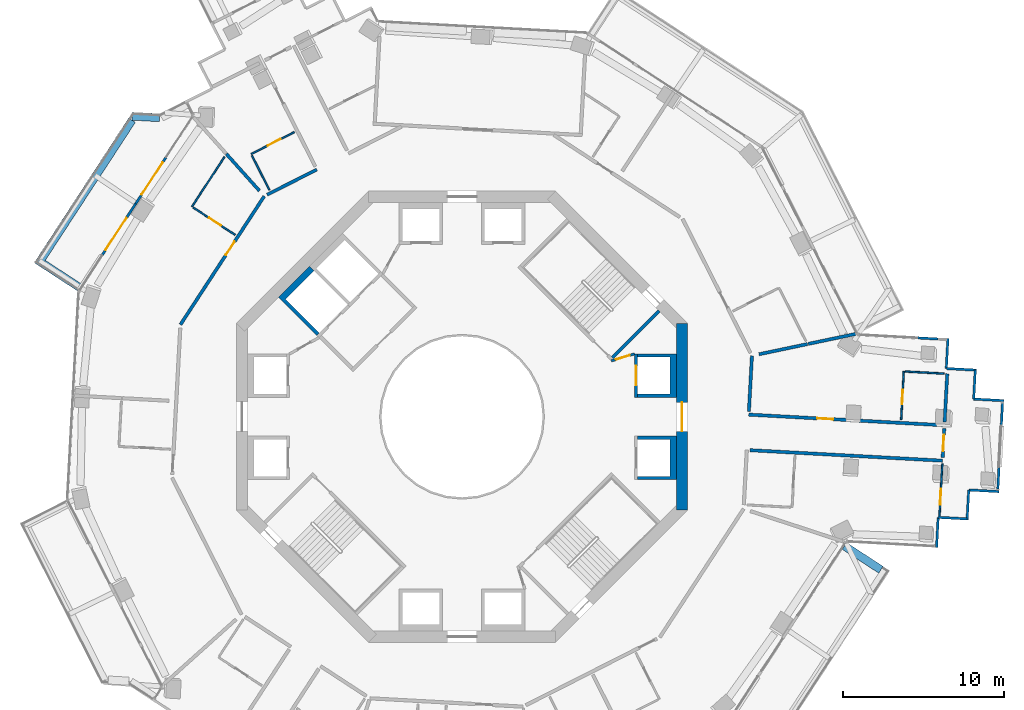
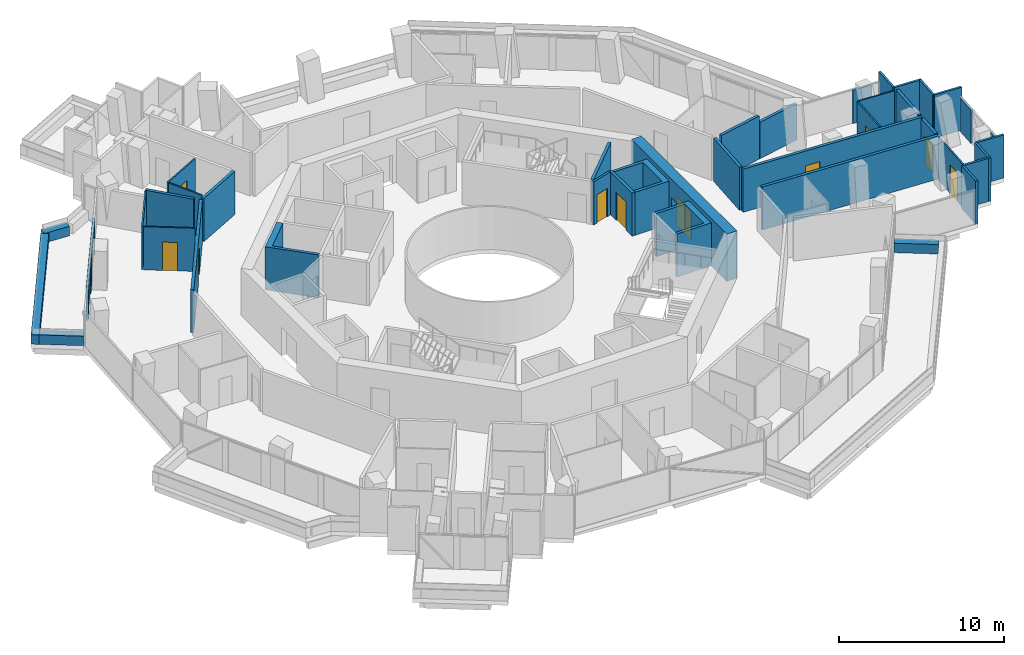
# One storey, part 18 of 23: 41 walls, 12 doors, 12 openings.
"""IFC4 building model written with IfcOpenShell, lengths in metres."""

from ifc_helpers import new_model, si_unit, direction, frame, frame_2d, origin, place, context, subcontext, project, spatial, polyline, rectangle, outline, extrude, material, layer, layer_set, type_object, element, fill, save


model = new_model("IFC4")

# Units and contexts
model_context = context("Model", 3, precision=1e-05, world=origin(), true_north=direction((0.0, 1.0)))
body_context = subcontext(model_context, "Body", "Model", "MODEL_VIEW")
ifc_project = project(units=[si_unit("LENGTHUNIT", "METRE"), si_unit("AREAUNIT", "SQUARE_METRE"), si_unit("VOLUMEUNIT", "CUBIC_METRE"), si_unit("PLANEANGLEUNIT", "RADIAN"), si_unit("MASSUNIT", "GRAM", prefix="KILO")], contexts=[model_context])

# Site, building, storey
site_placement = place(None, origin())
site = spatial("IfcSite", under=ifc_project, at=site_placement, CompositionType="ELEMENT")
building_placement = place(site_placement, origin())
building = spatial("IfcBuilding", under=site, at=building_placement, Name="Verdalira Terraces Hotel", CompositionType="ELEMENT")
storey_placement = place(building_placement, frame((0.0, 0.0, 143.5)))
storey = spatial("IfcBuildingStorey", under=building, at=storey_placement, Name="L34", CompositionType="ELEMENT", Elevation=143.5)

# Walls
ifc_material_1 = material(Name="Concrete C40", Category="concrete")
ifc_layer_1 = layer(ifc_material_1, 0.5)
ifc_layer_set_1 = layer_set([ifc_layer_1], Name="Balcony planter trough with tree")
wall_type_1 = type_object("IfcWallType", Name="Balcony planter trough with tree", PredefinedType="SOLIDWALL", material=ifc_layer_set_1)
wall_1_placement = place(storey_placement, frame((-18.776123, 18.557861, 0.0), z_axis=(0.0, 0.0, 1.0), x_axis=(-0.998516989, 0.054440996, 0.0)))
element("IfcWall", 1, at=wall_1_placement, inside=storey, type_object=wall_type_1, Name="Balcony planter", PredefinedType="SOLIDWALL", context=body_context, shape_type="SweptSolid", body=[
    extrude(rectangle(XDim=1.695068, YDim=0.5, at=frame_2d((0.847656, 0.0))), origin(), (0.0, 0.0, 1.0), 0.699951),
])
wall_2_placement = place(storey_placement, frame((-20.482178, 18.400391, 0.0), z_axis=(0.0, 0.0, 1.0), x_axis=(-0.546405332, -0.837520873, 0.0)))
element("IfcWall", 2, at=wall_2_placement, inside=storey, type_object=wall_type_1, Name="Balcony planter", PredefinedType="SOLIDWALL", context=body_context, shape_type="SweptSolid", body=[
    extrude(rectangle(XDim=10.719482, YDim=0.5, at=frame_2d((5.359863, 0.0))), origin(), (0.0, 0.0, 1.0), 0.699951),
])
for number, where, z_axis, x_axis, name in (
    (3, (-25.993408, 9.495361, 0.0), (0.0, 0.0, 1.0), (0.837506212, -0.546427803, 0.0), "Balcony planter"),
    (4, (25.993408, -9.495361, 0.0), (0.0, 0.0, 1.0), (-0.837506212, 0.546427803, 0.0), "Balcony planter"),
):
    element("IfcWall", number, at=place(storey_placement, frame(where, z_axis=z_axis, x_axis=x_axis)), inside=storey, type_object=wall_type_1, Name=name, PredefinedType="SOLIDWALL", context=body_context, shape_type="SweptSolid", body=[
        extrude(rectangle(XDim=2.698975, YDim=0.5, at=frame_2d((1.349609, 0.0))), origin(), (0.0, 0.0, 1.0), 0.699951),
    ])
ifc_material_2 = material(Name="Moisture-resistant gypsum board partition")
ifc_layer_2 = layer(ifc_material_2, 0.10009765625)
ifc_layer_set_2 = layer_set([ifc_layer_2], Name="Bathroom partition 100 mm")
wall_type_2 = type_object("IfcWallType", Name="Bathroom partition 100 mm", PredefinedType="PARTITIONING", material=ifc_layer_set_2)
wall_3_placement = place(storey_placement, frame((-16.76001, 13.033447, 0.0), z_axis=(0.0, 0.0, 1.0), x_axis=(0.546428622, 0.837505678, 0.0)))
element("IfcWall", 5, at=wall_3_placement, inside=storey, type_object=wall_type_2, Name="Bathroom partition", PredefinedType="PARTITIONING", context=body_context, shape_type="SweptSolid", body=[
    extrude(rectangle(XDim=3.703857, YDim=0.100098, at=frame_2d((1.852051, 0.0))), origin(), (0.0, 0.0, 1.0), 3.189941),
])

# Wall, opening, door
wall_4_placement = place(storey_placement, frame((-16.67627, 12.97876, 0.0), z_axis=(0.0, 0.0, 1.0), x_axis=(0.83753382, -0.546385486, 0.0)))
wall_4 = element("IfcWall", 6, at=wall_4_placement, inside=storey, type_object=wall_type_2, Name="Bathroom partition", PredefinedType="PARTITIONING", context=body_context, shape_type="SweptSolid", body=[
    extrude(rectangle(XDim=3.100098, YDim=0.100098, at=frame_2d((1.550049, 0.0))), origin(), (0.0, 0.0, 1.0), 3.189941),
])
opening_1_placement = place(wall_4_placement, frame((1.149902, 0.0, 0.0)))
opening_1 = element("IfcOpeningElement", 7, at=opening_1_placement, cuts=wall_4, Name="Opening L34-107", PredefinedType="OPENING", context=body_context, shape_type="SweptSolid", body=[
    extrude(rectangle(XDim=0.899902, YDim=2.100098, at=frame_2d((0.449951, 1.050049))), frame((0.0, 0.060059, 0.0), z_axis=(0.0, -1.0, 0.0), x_axis=(1.0, 0.0, 0.0)), (0.0, 0.0, 1.0), 0.120117),
])
ifc_material_3 = material(Name="Timber door", Category="wood")
door_type_1 = type_object("IfcDoorType", Name="Bathroom door 900 x 2100", OperationType="NOTDEFINED", PredefinedType="DOOR", material=ifc_material_3)
door_1_placement = place(opening_1_placement, origin())
door_1 = element("IfcDoor", 8, at=door_1_placement, inside=storey, type_object=door_type_1, Name="Bathroom door 3403", OperationType="SINGLE_SWING_LEFT", OverallHeight=2.10009765625, OverallWidth=0.89990234375, PredefinedType="DOOR", context=body_context, shape_type="SweptSolid", body=[
    extrude(rectangle(XDim=0.899902, YDim=2.100098, at=frame_2d((0.449951, 1.050049))), frame((0.0, 0.024902, 0.0), z_axis=(0.0, -1.0, 0.0), x_axis=(1.0, 0.0, 0.0)), (0.0, 0.0, 1.0), 0.050049),
])
fill(opening_1, door_1)

# Wall
wall_5_placement = place(storey_placement, frame((-11.954834, 14.073975, 0.0), z_axis=(0.0, 0.0, 1.0), x_axis=(-0.452089991, 0.891972331, 0.0)))
element("IfcWall", 9, at=wall_5_placement, inside=storey, type_object=wall_type_2, Name="Bathroom partition", PredefinedType="PARTITIONING", context=body_context, shape_type="SweptSolid", body=[
    extrude(rectangle(XDim=2.399902, YDim=0.100098, at=frame_2d((1.199951, 0.0))), origin(), (0.0, 0.0, 1.0), 3.189941),
])

# Wall, opening, door
wall_6_placement = place(storey_placement, frame((-10.40918, 17.660156, 0.0), z_axis=(0.0, 0.0, 1.0), x_axis=(-0.891956148, -0.452121919, 0.0)))
wall_6 = element("IfcWall", 10, at=wall_6_placement, inside=storey, type_object=wall_type_2, Name="Bathroom partition", PredefinedType="PARTITIONING", context=body_context, shape_type="SweptSolid", body=[
    extrude(rectangle(XDim=3.000244, YDim=0.100098, at=frame_2d((1.5, 0.0))), origin(), (0.0, 0.0, 1.0), 3.189941),
])
opening_2_placement = place(wall_6_placement, frame((0.949951, 0.0, 0.0)))
opening_2 = element("IfcOpeningElement", 11, at=opening_2_placement, cuts=wall_6, Name="Opening L34-105", PredefinedType="OPENING", context=body_context, shape_type="SweptSolid", body=[
    extrude(rectangle(XDim=0.899902, YDim=2.100098, at=frame_2d((0.449951, 1.050049))), frame((0.0, 0.060059, 0.0), z_axis=(0.0, -1.0, 0.0), x_axis=(1.0, 0.0, 0.0)), (0.0, 0.0, 1.0), 0.120117),
])
door_2_placement = place(opening_2_placement, origin())
door_2 = element("IfcDoor", 12, at=door_2_placement, inside=storey, type_object=door_type_1, Name="Bathroom door 3402", OperationType="SINGLE_SWING_RIGHT", OverallHeight=2.10009765625, OverallWidth=0.89990234375, PredefinedType="DOOR", context=body_context, shape_type="SweptSolid", body=[
    extrude(rectangle(XDim=0.899902, YDim=2.100098, at=frame_2d((0.449951, 1.050049))), frame((0.0, 0.024902, 0.0), z_axis=(0.0, -1.0, 0.0), x_axis=(1.0, 0.0, 0.0)), (0.0, 0.0, 1.0), 0.050049),
])
fill(opening_2, door_2)

wall_7_placement = place(storey_placement, frame((27.414307, 2.812012, 0.0), z_axis=(0.0, 0.0, 1.0), x_axis=(-0.054361227, -0.998521335, 0.0)))
wall_7 = element("IfcWall", 13, at=wall_7_placement, inside=storey, type_object=wall_type_2, Name="Bathroom partition", PredefinedType="PARTITIONING", context=body_context, shape_type="SweptSolid", body=[
    extrude(rectangle(XDim=3.0, YDim=0.100098, at=frame_2d((1.5, 0.0))), origin(), (0.0, 0.0, 1.0), 3.189941),
])
opening_3_placement = place(wall_7_placement, frame((1.149902, 0.0, 0.0)))
opening_3 = element("IfcOpeningElement", 14, at=opening_3_placement, cuts=wall_7, Name="Opening L34-126", PredefinedType="OPENING", context=body_context, shape_type="SweptSolid", body=[
    extrude(rectangle(XDim=0.899902, YDim=2.100098, at=frame_2d((0.449951, 1.050049))), frame((0.0, 0.060059, 0.0), z_axis=(0.0, -1.0, 0.0), x_axis=(1.0, 0.0, 0.0)), (0.0, 0.0, 1.0), 0.120117),
])
door_3_placement = place(opening_3_placement, origin())
door_3 = element("IfcDoor", 15, at=door_3_placement, inside=storey, type_object=door_type_1, Name="Bathroom door 3409", OperationType="SINGLE_SWING_LEFT", OverallHeight=2.10009765625, OverallWidth=0.89990234375, PredefinedType="DOOR", context=body_context, shape_type="SweptSolid", body=[
    extrude(rectangle(XDim=0.899902, YDim=2.100098, at=frame_2d((0.449951, 1.050049))), frame((0.0, 0.024902, 0.0), z_axis=(0.0, -1.0, 0.0), x_axis=(1.0, 0.0, 0.0)), (0.0, 0.0, 1.0), 0.050049),
])
fill(opening_3, door_3)

# Wall
wall_8_placement = place(storey_placement, frame((27.514404, 2.806641, 0.0), z_axis=(0.0, 0.0, 1.0), x_axis=(0.998517719, -0.054427609, 0.0)))
element("IfcWall", 16, at=wall_8_placement, inside=storey, type_object=wall_type_2, Name="Bathroom partition", PredefinedType="PARTITIONING", context=body_context, shape_type="SweptSolid", body=[
    extrude(rectangle(XDim=2.399902, YDim=0.100098, at=frame_2d((1.199951, 0.0))), origin(), (0.0, 0.0, 1.0), 3.189941),
])

# Wall, opening, door
wall_9_placement = place(storey_placement, frame((29.628662, -6.173828, 0.0), z_axis=(0.0, 0.0, 1.0), x_axis=(0.054426389, 0.998517786, 0.0)))
wall_9 = element("IfcWall", 17, at=wall_9_placement, inside=storey, type_object=wall_type_2, Name="Bathroom partition", PredefinedType="PARTITIONING", context=body_context, shape_type="SweptSolid", body=[
    extrude(rectangle(XDim=3.252197, YDim=0.100098, at=frame_2d((1.625977, 0.0))), origin(), (0.0, 0.0, 1.0), 3.189941),
])
opening_4_placement = place(wall_9_placement, frame((0.699951, 0.0, 0.0)))
opening_4 = element("IfcOpeningElement", 18, at=opening_4_placement, cuts=wall_9, Name="Opening L34-123", PredefinedType="OPENING", context=body_context, shape_type="SweptSolid", body=[
    extrude(rectangle(XDim=1.0, YDim=2.100098, at=frame_2d((0.5, 1.050049))), frame((0.0, 0.060059, 0.0), z_axis=(0.0, -1.0, 0.0), x_axis=(1.0, 0.0, 0.0)), (0.0, 0.0, 1.0), 0.120117),
])
ifc_material_4 = material(Name="Timber door", Category="wood")
door_type_2 = type_object("IfcDoorType", Name="Suite internal door 1000 x 2100", OperationType="NOTDEFINED", PredefinedType="DOOR", material=ifc_material_4)
door_4_placement = place(opening_4_placement, origin())
door_4 = element("IfcDoor", 19, at=door_4_placement, inside=storey, type_object=door_type_2, Name="Suite internal door 3408", OperationType="SINGLE_SWING_LEFT", OverallHeight=2.10009765625, OverallWidth=1.0, PredefinedType="DOOR", context=body_context, shape_type="SweptSolid", body=[
    extrude(rectangle(XDim=1.0, YDim=2.100098, at=frame_2d((0.5, 1.050049))), frame((0.0, 0.024902, 0.0), z_axis=(0.0, -1.0, 0.0), x_axis=(1.0, 0.0, 0.0)), (0.0, 0.0, 1.0), 0.050049),
])
fill(opening_4, door_4)

# Walls
ifc_material_5 = material(Name="Concrete C50", Category="concrete")
ifc_layer_3 = layer(ifc_material_5, 0.199951171875)
ifc_layer_set_3 = layer_set([ifc_layer_3], Name="Core RC wall 200 C50")
wall_type_3 = type_object("IfcWallType", Name="Core RC wall 200 C50", PredefinedType="SOLIDWALL", material=ifc_layer_set_3)
wall_10_placement = place(storey_placement, origin())
element("IfcWall", 20, at=wall_10_placement, inside=storey, type_object=wall_type_3, Name="L34 shaft wall E1", PredefinedType="SOLIDWALL", context=body_context, shape_type="SweptSolid", body=[
    extrude(outline(polyline([(13.300049, -3.899902), (10.899902, -3.899902), (10.899902, -3.699951), (12.899902, -3.699951), (12.899902, -1.399902), (10.899902, -1.399902), (10.899902, -1.199951), (13.300049, -1.199951), (13.300049, -3.899902)])), origin(), (0.0, 0.0, 1.0), 3.189941),
])
wall_11_placement = place(storey_placement, origin())
element("IfcWall", 21, at=wall_11_placement, inside=storey, type_object=wall_type_3, Name="L34 shaft wall E2", PredefinedType="SOLIDWALL", context=body_context, shape_type="SweptSolid", body=[
    extrude(outline(polyline([(13.300049, 3.899902), (13.300049, 1.199951), (10.899902, 1.199951), (10.899902, 1.399902), (12.899902, 1.399902), (12.899902, 3.699951), (10.899902, 3.699951), (10.899902, 3.899902), (13.300049, 3.899902)])), origin(), (0.0, 0.0, 1.0), 3.189941),
])

# Wall, opening, door
wall_12_placement = place(storey_placement, frame((10.800049, 1.199951, 0.0), z_axis=(0.0, 0.0, 1.0), x_axis=(0.0, 1.0, 0.0)))
wall_12 = element("IfcWall", 22, at=wall_12_placement, inside=storey, type_object=wall_type_3, Name="L34 shaft front wall E2", PredefinedType="SOLIDWALL", context=body_context, shape_type="SweptSolid", body=[
    extrude(rectangle(XDim=2.699951, YDim=0.199951, at=frame_2d((1.350098, 0.0))), origin(), (0.0, 0.0, 1.0), 3.189941),
])
opening_5_placement = place(wall_12_placement, frame((0.75, 0.0, 0.0)))
opening_5 = element("IfcOpeningElement", 23, at=opening_5_placement, cuts=wall_12, Name="Opening LD-L34-802", PredefinedType="OPENING", context=body_context, shape_type="SweptSolid", body=[
    extrude(rectangle(XDim=1.199951, YDim=2.100098, at=frame_2d((0.600098, 1.050049))), frame((0.0, 0.109863, 0.0), z_axis=(0.0, -1.0, 0.0), x_axis=(1.0, 0.0, 0.0)), (0.0, 0.0, 1.0), 0.219971),
])
ifc_material_6 = material(Name="Stainless steel", Category="steel")
door_type_3 = type_object("IfcDoorType", Name="Landing door 1200 x 2100", OperationType="NOTDEFINED", PredefinedType="DOOR", material=ifc_material_6)
door_5_placement = place(opening_5_placement, origin())
door_5 = element("IfcDoor", 24, at=door_5_placement, inside=storey, type_object=door_type_3, Name="Lift landing door LR2 L34", OperationType="DOUBLE_DOOR_SLIDING", OverallHeight=2.10009765625, OverallWidth=1.199951171875, PredefinedType="DOOR", context=body_context, shape_type="SweptSolid", body=[
    extrude(rectangle(XDim=1.199951, YDim=2.100098, at=frame_2d((0.600098, 1.050049))), frame((0.0, 0.024902, 0.0), z_axis=(0.0, -1.0, 0.0), x_axis=(1.0, 0.0, 0.0)), (0.0, 0.0, 1.0), 0.050049),
])
fill(opening_5, door_5)

# Walls
wall_13_placement = place(storey_placement, origin())
element("IfcWall", 25, at=wall_13_placement, inside=storey, type_object=wall_type_3, Name="L34 shaft wall F2", PredefinedType="SOLIDWALL", context=body_context, shape_type="SweptSolid", body=[
    extrude(outline(polyline([(-11.384521, 7.424561), (-9.475098, 9.33374), (-9.192383, 9.051025), (-10.960205, 7.283203), (-8.874268, 5.197266), (-9.015625, 5.055908), (-11.384521, 7.424561)])), origin(), (0.0, 0.0, 1.0), 3.189941),
])
wall_14_placement = place(storey_placement, frame((9.33374, 3.677002, 0.0), z_axis=(0.0, 0.0, 1.0), x_axis=(0.707106781, 0.707106781, 0.0)))
element("IfcWall", 26, at=wall_14_placement, inside=storey, type_object=wall_type_3, Name="L34 stair ST1 end wall 1", PredefinedType="SOLIDWALL", context=body_context, shape_type="SweptSolid", body=[
    extrude(rectangle(XDim=4.100098, YDim=0.199951, at=frame_2d((2.050049, 0.0))), origin(), (0.0, 0.0, 1.0), 3.189941),
])

# Wall, opening, door
ifc_material_7 = material(Name="Gypsum board partition")
ifc_layer_4 = layer(ifc_material_7, 0.14990234375)
ifc_layer_set_4 = layer_set([ifc_layer_4], Name="Core partition 150 mm")
wall_type_4 = type_object("IfcWallType", Name="Core partition 150 mm", PredefinedType="PARTITIONING", material=ifc_layer_set_4)
wall_15_placement = place(storey_placement, frame((10.699951, 3.899902, 0.0), z_axis=(0.0, 0.0, 1.0), x_axis=(-0.957084567, -0.289808785, 0.0)))
wall_15 = element("IfcWall", 27, at=wall_15_placement, inside=storey, type_object=wall_type_4, Name="Room partition L34", PredefinedType="PARTITIONING", context=body_context, shape_type="SweptSolid", body=[
    extrude(rectangle(XDim=1.501221, YDim=0.149902, at=frame_2d((0.750488, 0.0))), origin(), (0.0, 0.0, 1.0), 3.189941),
])
opening_6_placement = place(wall_15_placement, frame((0.300781, 0.0, 0.0)))
opening_6 = element("IfcOpeningElement", 28, at=opening_6_placement, cuts=wall_15, Name="Opening L34-820", PredefinedType="OPENING", context=body_context, shape_type="SweptSolid", body=[
    extrude(rectangle(XDim=0.899902, YDim=2.100098, at=frame_2d((0.449951, 1.050049))), frame((0.0, 0.084961, 0.0), z_axis=(0.0, -1.0, 0.0), x_axis=(1.0, 0.0, 0.0)), (0.0, 0.0, 1.0), 0.169922),
])
ifc_material_8 = material(Name="Steel fire door", Category="steel")
door_type_4 = type_object("IfcDoorType", Name="Core room door 900 x 2100", OperationType="NOTDEFINED", PredefinedType="DOOR", material=ifc_material_8)
door_6_placement = place(opening_6_placement, origin())
door_6 = element("IfcDoor", 29, at=door_6_placement, inside=storey, type_object=door_type_4, Name="Door L34 room0", OperationType="SINGLE_SWING_LEFT", OverallHeight=2.10009765625, OverallWidth=0.89990234375, PredefinedType="DOOR", context=body_context, shape_type="SweptSolid", body=[
    extrude(rectangle(XDim=0.899902, YDim=2.100098, at=frame_2d((0.449951, 1.050049))), frame((0.0, 0.024902, 0.0), z_axis=(0.0, -1.0, 0.0), x_axis=(1.0, 0.0, 0.0)), (0.0, 0.0, 1.0), 0.050049),
])
fill(opening_6, door_6)

ifc_material_9 = material(Name="Concrete C60", Category="concrete")
ifc_layer_5 = layer(ifc_material_9, 0.699951171875)
ifc_layer_set_5 = layer_set([ifc_layer_5], Name="Core wall 700 C60")
wall_type_5 = type_object("IfcWallType", Name="Core wall 700 C60", PredefinedType="SHEAR", material=ifc_layer_set_5)
wall_16_placement = place(storey_placement, frame((13.649902, -5.799072, 0.0), z_axis=(0.0, 0.0, 1.0), x_axis=(0.0, 1.0, 0.0)))
wall_16 = element("IfcWall", 30, at=wall_16_placement, inside=storey, type_object=wall_type_5, Name="Core wall CW-L34-1", PredefinedType="SHEAR", context=body_context, shape_type="SweptSolid", body=[
    extrude(rectangle(XDim=11.598145, YDim=0.699951, at=frame_2d((5.799072, 0.0))), origin(), (0.0, 0.0, 1.0), 3.5),
])
opening_7_placement = place(wall_16_placement, frame((4.898926, 0.0, 0.0)))
opening_7 = element("IfcOpeningElement", 31, at=opening_7_placement, cuts=wall_16, Name="Opening L34-812", PredefinedType="OPENING", context=body_context, shape_type="SweptSolid", body=[
    extrude(rectangle(XDim=1.800049, YDim=2.100098, at=frame_2d((0.899902, 1.050049))), frame((0.0, 0.359863, 0.0), z_axis=(0.0, -1.0, 0.0), x_axis=(1.0, 0.0, 0.0)), (0.0, 0.0, 1.0), 0.719971),
])
ifc_material_10 = material(Name="Steel fire door", Category="steel")
door_type_5 = type_object("IfcDoorType", Name="Core entry door pair 1800 x 2100", OperationType="NOTDEFINED", PredefinedType="DOOR", material=ifc_material_10)
door_7_placement = place(opening_7_placement, origin())
door_7 = element("IfcDoor", 32, at=door_7_placement, inside=storey, type_object=door_type_5, Name="Core entry door L34 0", OperationType="DOUBLE_DOOR_SINGLE_SWING", OverallHeight=2.10009765625, OverallWidth=1.800048828125, PredefinedType="DOOR", context=body_context, shape_type="SweptSolid", body=[
    extrude(rectangle(XDim=1.800049, YDim=2.100098, at=frame_2d((0.899902, 1.050049))), frame((0.0, 0.024902, 0.0), z_axis=(0.0, -1.0, 0.0), x_axis=(1.0, 0.0, 0.0)), (0.0, 0.0, 1.0), 0.050049),
])
fill(opening_7, door_7)

# Walls
ifc_material_11 = material(Name="Fire-rated gypsum board wall")
ifc_layer_6 = layer(ifc_material_11, 0.199951171875)
ifc_layer_set_6 = layer_set([ifc_layer_6], Name="Demising wall 200 mm")
wall_type_6 = type_object("IfcWallType", Name="Demising wall 200 mm", PredefinedType="SOLIDWALL", material=ifc_layer_set_6)
for number, where, z_axis, x_axis, name in (
    (33, (-12.571777, 14.02124, 0.0), (0.0, 0.0, 1.0), (-0.667546534, 0.74456808, 0.0), "Demising wall"),
    (34, (18.428711, 3.876709, 0.0), (0.0, 0.0, 1.0), (0.97857421, 0.205894428, 0.0), "Demising wall"),
):
    element("IfcWall", number, at=place(storey_placement, frame(where, z_axis=z_axis, x_axis=x_axis)), inside=storey, type_object=wall_type_6, Name=name, PredefinedType="SOLIDWALL", context=body_context, shape_type="SweptSolid", body=[
        extrude(rectangle(XDim=3.074707, YDim=0.199951, at=frame_2d((1.537354, 0.0))), origin(), (0.0, 0.0, 1.0), 3.189941),
    ])
wall_17_placement = place(storey_placement, frame((29.947021, -0.33252, 0.0), z_axis=(0.0, 0.0, 1.0), x_axis=(0.054452707, 0.998516351, 0.0)))
element("IfcWall", 35, at=wall_17_placement, inside=storey, type_object=wall_type_6, Name="Demising wall", PredefinedType="SOLIDWALL", context=body_context, shape_type="SweptSolid", body=[
    extrude(rectangle(XDim=3.003906, YDim=0.199951, at=frame_2d((1.501953, 0.0))), origin(), (0.0, 0.0, 1.0), 3.189941),
])
ifc_material_12 = material(Name="Fire-rated gypsum board wall")
ifc_layer_7 = layer(ifc_material_12, 0.199951171875)
ifc_layer_set_7 = layer_set([ifc_layer_7], Name="Demising wall 200 mm to beam soffit")
wall_type_7 = type_object("IfcWallType", Name="Demising wall 200 mm to beam soffit", PredefinedType="SOLIDWALL", material=ifc_layer_set_7)
wall_18_placement = place(storey_placement, frame((21.482422, 4.519287, 0.0), z_axis=(0.0, 0.0, 1.0), x_axis=(0.978586756, 0.205834792, 0.0)))
element("IfcWall", 36, at=wall_18_placement, inside=storey, type_object=wall_type_7, Name="Demising wall", PredefinedType="SOLIDWALL", context=body_context, shape_type="SweptSolid", body=[
    extrude(rectangle(XDim=3.011475, YDim=0.199951, at=frame_2d((1.505859, 0.0))), origin(), (0.0, 0.0, 1.0), 2.689941),
])

# Wall, opening, door
ifc_material_13 = material(Name="Fire-rated gypsum board wall")
ifc_layer_8 = layer(ifc_material_13, 0.199951171875)
ifc_layer_set_8 = layer_set([ifc_layer_8], Name="Guest corridor wall 200 mm")
wall_type_8 = type_object("IfcWallType", Name="Guest corridor wall 200 mm", PredefinedType="SOLIDWALL", material=ifc_layer_set_8)
wall_19_placement = place(storey_placement, frame((-17.472656, 5.718262, 0.0), z_axis=(0.0, 0.0, 1.0), x_axis=(0.546389861, 0.837530967, 0.0)))
wall_19 = element("IfcWall", 37, at=wall_19_placement, inside=storey, type_object=wall_type_8, Name="Guest corridor wall", PredefinedType="SOLIDWALL", context=body_context, shape_type="SweptSolid", body=[
    extrude(rectangle(XDim=9.516113, YDim=0.199951, at=frame_2d((4.758057, 0.0))), origin(), (0.0, 0.0, 1.0), 3.189941),
])
opening_8_placement = place(wall_19_placement, frame((5.149902, 0.0, 0.0)))
opening_8 = element("IfcOpeningElement", 38, at=opening_8_placement, cuts=wall_19, Name="Opening L34-106", PredefinedType="OPENING", context=body_context, shape_type="SweptSolid", body=[
    extrude(rectangle(XDim=1.0, YDim=2.100098, at=frame_2d((0.5, 1.050049))), frame((0.0, 0.109863, 0.0), z_axis=(0.0, -1.0, 0.0), x_axis=(1.0, 0.0, 0.0)), (0.0, 0.0, 1.0), 0.219971),
])
ifc_material_14 = material(Name="Timber fire door", Category="wood")
door_type_6 = type_object("IfcDoorType", Name="Guest entry door 1000 x 2100", OperationType="NOTDEFINED", PredefinedType="DOOR", material=ifc_material_14)
door_8_placement = place(opening_8_placement, origin())
door_8 = element("IfcDoor", 39, at=door_8_placement, inside=storey, type_object=door_type_6, Name="Guest entry door 3403", OperationType="SINGLE_SWING_LEFT", OverallHeight=2.10009765625, OverallWidth=1.0, PredefinedType="DOOR", context=body_context, shape_type="SweptSolid", body=[
    extrude(rectangle(XDim=1.0, YDim=2.100098, at=frame_2d((0.5, 1.050049))), frame((0.0, 0.024902, 0.0), z_axis=(0.0, -1.0, 0.0), x_axis=(1.0, 0.0, 0.0)), (0.0, 0.0, 1.0), 0.050049),
])
fill(opening_8, door_8)

# Walls
for number, where, z_axis, x_axis, name in (
    (40, (-9.01001, 15.342285, 0.0), (0.0, 0.0, 1.0), (-0.891971254, -0.452092118, 0.0), "Guest corridor wall"),
    (41, (17.802734, 0.331543, 0.0), (0.0, 0.0, 1.0), (0.054429939, 0.998517592, 0.0), "Guest corridor wall"),
):
    element("IfcWall", number, at=place(storey_placement, frame(where, z_axis=z_axis, x_axis=x_axis)), inside=storey, type_object=wall_type_8, Name=name, PredefinedType="SOLIDWALL", context=body_context, shape_type="SweptSolid", body=[
        extrude(rectangle(XDim=3.458252, YDim=0.199951, at=frame_2d((1.729004, 0.0))), origin(), (0.0, 0.0, 1.0), 3.189941),
    ])
wall_20_placement = place(storey_placement, frame((17.871826, -2.075684, 0.0), z_axis=(0.0, 0.0, 1.0), x_axis=(0.998517524, -0.054431195, 0.0)))
element("IfcWall", 42, at=wall_20_placement, inside=storey, type_object=wall_type_8, Name="Guest corridor wall", PredefinedType="SOLIDWALL", context=body_context, shape_type="SweptSolid", body=[
    extrude(rectangle(XDim=11.962402, YDim=0.199951, at=frame_2d((5.981201, 0.0))), origin(), (0.0, 0.0, 1.0), 3.189941),
])

# Wall, opening, door
wall_21_placement = place(storey_placement, frame((17.791992, 0.131836, 0.0), z_axis=(0.0, 0.0, 1.0), x_axis=(0.998518168, -0.054419371, 0.0)))
wall_21 = element("IfcWall", 43, at=wall_21_placement, inside=storey, type_object=wall_type_8, Name="Guest corridor wall", PredefinedType="SOLIDWALL", context=body_context, shape_type="SweptSolid", body=[
    extrude(rectangle(XDim=12.162354, YDim=0.199951, at=frame_2d((6.081055, 0.0))), origin(), (0.0, 0.0, 1.0), 3.189941),
])
opening_9_placement = place(wall_21_placement, frame((4.25, 0.0, 0.0)))
opening_9 = element("IfcOpeningElement", 44, at=opening_9_placement, cuts=wall_21, Name="Opening L34-125", PredefinedType="OPENING", context=body_context, shape_type="SweptSolid", body=[
    extrude(rectangle(XDim=1.0, YDim=2.100098, at=frame_2d((0.5, 1.050049))), frame((0.0, 0.109863, 0.0), z_axis=(0.0, -1.0, 0.0), x_axis=(1.0, 0.0, 0.0)), (0.0, 0.0, 1.0), 0.219971),
])
door_9_placement = place(opening_9_placement, origin())
door_9 = element("IfcDoor", 45, at=door_9_placement, inside=storey, type_object=door_type_6, Name="Guest entry door 3409", OperationType="SINGLE_SWING_LEFT", OverallHeight=2.10009765625, OverallWidth=1.0, PredefinedType="DOOR", context=body_context, shape_type="SweptSolid", body=[
    extrude(rectangle(XDim=1.0, YDim=2.100098, at=frame_2d((0.5, 1.050049))), frame((0.0, 0.024902, 0.0), z_axis=(0.0, -1.0, 0.0), x_axis=(1.0, 0.0, 0.0)), (0.0, 0.0, 1.0), 0.050049),
])
fill(opening_9, door_9)

wall_22_placement = place(storey_placement, frame((29.925537, -0.727783, 0.0), z_axis=(0.0, 0.0, 1.0), x_axis=(-0.054398261, -0.998519318, 0.0)))
wall_22 = element("IfcWall", 46, at=wall_22_placement, inside=storey, type_object=wall_type_8, Name="Guest corridor wall", PredefinedType="SOLIDWALL", context=body_context, shape_type="SweptSolid", body=[
    extrude(rectangle(XDim=1.804199, YDim=0.199951, at=frame_2d((0.9021, 0.0))), origin(), (0.0, 0.0, 1.0), 3.189941),
])
opening_10_placement = place(wall_22_placement, frame((0.399902, 0.0, 0.0)))
opening_10 = element("IfcOpeningElement", 47, at=opening_10_placement, cuts=wall_22, Name="Opening L34-122", PredefinedType="OPENING", context=body_context, shape_type="SweptSolid", body=[
    extrude(rectangle(XDim=1.0, YDim=2.100098, at=frame_2d((0.5, 1.050049))), frame((0.0, 0.109863, 0.0), z_axis=(0.0, -1.0, 0.0), x_axis=(1.0, 0.0, 0.0)), (0.0, 0.0, 1.0), 0.219971),
])
door_10_placement = place(opening_10_placement, origin())
door_10 = element("IfcDoor", 48, at=door_10_placement, inside=storey, type_object=door_type_6, Name="Guest entry door 3408", OperationType="SINGLE_SWING_LEFT", OverallHeight=2.10009765625, OverallWidth=1.0, PredefinedType="DOOR", context=body_context, shape_type="SweptSolid", body=[
    extrude(rectangle(XDim=1.0, YDim=2.100098, at=frame_2d((0.5, 1.050049))), frame((0.0, 0.024902, 0.0), z_axis=(0.0, -1.0, 0.0), x_axis=(1.0, 0.0, 0.0)), (0.0, 0.0, 1.0), 0.050049),
])
fill(opening_10, door_10)

# Walls
ifc_material_15 = material(Name="Terracotta cladding", Category="masonry")
ifc_layer_9 = layer(ifc_material_15, 0.14990234375)
ifc_layer_set_9 = layer_set([ifc_layer_9], Name="Terracotta clad wall 150")
wall_type_9 = type_object("IfcWallType", Name="Terracotta clad wall 150", PredefinedType="SOLIDWALL", material=ifc_layer_set_9)
wall_23_placement = place(storey_placement, frame((29.447754, -8.114746, 0.0), z_axis=(0.0, 0.0, 1.0), x_axis=(0.054431445, 0.99851751, 0.0)))
element("IfcWall", 49, at=wall_23_placement, inside=storey, type_object=wall_type_9, Name="Terracotta cladding wall", PredefinedType="SOLIDWALL", context=body_context, shape_type="SweptSolid", body=[
    extrude(rectangle(XDim=1.874756, YDim=0.149902, at=frame_2d((0.9375, 0.0))), origin(), (0.0, 0.0, 1.0), 3.189941),
])
wall_24_placement = place(storey_placement, frame((29.549805, -6.242676, 0.0), z_axis=(0.0, 0.0, 1.0), x_axis=(0.998519862, -0.054388273, 0.0)))
element("IfcWall", 50, at=wall_24_placement, inside=storey, type_object=wall_type_9, Name="Terracotta cladding wall", PredefinedType="SOLIDWALL", context=body_context, shape_type="SweptSolid", body=[
    extrude(rectangle(XDim=1.800049, YDim=0.149902, at=frame_2d((0.899902, 0.0))), origin(), (0.0, 0.0, 1.0), 3.189941),
])
for number, where, z_axis, x_axis, name in (
    (51, (31.343018, -6.415527, 0.0), (0.0, 0.0, 1.0), (0.054424368, 0.998517896, 0.0), "Terracotta cladding wall"),
    (52, (31.445068, -4.543213, 0.0), (0.0, 0.0, 1.0), (0.998517896, -0.054424368, 0.0), "Terracotta cladding wall"),
    (53, (33.624756, 0.996338, 0.0), (0.0, 0.0, 1.0), (-0.998517896, 0.054424368, 0.0), "Terracotta cladding wall"),
):
    element("IfcWall", number, at=place(storey_placement, frame(where, z_axis=z_axis, x_axis=x_axis)), inside=storey, type_object=wall_type_9, Name=name, PredefinedType="SOLIDWALL", context=body_context, shape_type="SweptSolid", body=[
        extrude(rectangle(XDim=1.875, YDim=0.149902, at=frame_2d((0.9375, 0.0))), origin(), (0.0, 0.0, 1.0), 3.189941),
    ])
wall_25_placement = place(storey_placement, frame((31.752441, 1.098389, 0.0), z_axis=(0.0, 0.0, 1.0), x_axis=(0.054523502, 0.998512488, 0.0)))
element("IfcWall", 54, at=wall_25_placement, inside=storey, type_object=wall_type_9, Name="Terracotta cladding wall", PredefinedType="SOLIDWALL", context=body_context, shape_type="SweptSolid", body=[
    extrude(rectangle(XDim=1.800049, YDim=0.149902, at=frame_2d((0.899902, 0.0))), origin(), (0.0, 0.0, 1.0), 3.189941),
])
for number, where, z_axis, x_axis, name in (
    (55, (31.925537, 2.891602, 0.0), (0.0, 0.0, 1.0), (-0.998517896, 0.054424368, 0.0), "Terracotta cladding wall"),
    (56, (30.053223, 2.993652, 0.0), (0.0, 0.0, 1.0), (0.054424368, 0.998517896, 0.0), "Terracotta cladding wall"),
):
    element("IfcWall", number, at=place(storey_placement, frame(where, z_axis=z_axis, x_axis=x_axis)), inside=storey, type_object=wall_type_9, Name=name, PredefinedType="SOLIDWALL", context=body_context, shape_type="SweptSolid", body=[
        extrude(rectangle(XDim=1.875, YDim=0.149902, at=frame_2d((0.9375, 0.0))), origin(), (0.0, 0.0, 1.0), 3.189941),
    ])
ifc_material_16 = material(Name="Terracotta cladding", Category="masonry")
ifc_layer_10 = layer(ifc_material_16, 0.14990234375)
ifc_layer_set_10 = layer_set([ifc_layer_10], Name="Terracotta column pier 150")
wall_type_10 = type_object("IfcWallType", Name="Terracotta column pier 150", PredefinedType="SOLIDWALL", material=ifc_layer_set_10)
wall_26_placement = place(storey_placement, frame((33.250732, -4.486328, 0.0), z_axis=(0.0, 0.0, 1.0), x_axis=(0.054480684, 0.998514825, 0.0)))
element("IfcWall", 57, at=wall_26_placement, inside=storey, type_object=wall_type_10, Name="Terracotta column pier", PredefinedType="SOLIDWALL", context=body_context, shape_type="SweptSolid", body=[
    extrude(rectangle(XDim=1.366699, YDim=0.149902, at=frame_2d((0.68335, 0.0))), origin(), (0.0, 0.0, 1.0), 2.475098),
])
wall_27_placement = place(storey_placement, frame((33.4646, -0.562256, 0.0), z_axis=(0.0, 0.0, 1.0), x_axis=(0.054539822, 0.998511596, 0.0)))
element("IfcWall", 58, at=wall_27_placement, inside=storey, type_object=wall_type_10, Name="Terracotta column pier", PredefinedType="SOLIDWALL", context=body_context, shape_type="SweptSolid", body=[
    extrude(rectangle(XDim=1.410156, YDim=0.149902, at=frame_2d((0.705078, 0.0))), origin(), (0.0, 0.0, 1.0), 2.475098),
])
wall_28_placement = place(storey_placement, frame((29.547119, 4.823975, 0.0), z_axis=(0.0, 0.0, 1.0), x_axis=(-0.99851645, 0.054450878, 0.0)))
element("IfcWall", 59, at=wall_28_placement, inside=storey, type_object=wall_type_10, Name="Terracotta column pier", PredefinedType="SOLIDWALL", context=body_context, shape_type="SweptSolid", body=[
    extrude(rectangle(XDim=1.300293, YDim=0.149902, at=frame_2d((0.650146, 0.0))), origin(), (0.0, 0.0, 1.0), 2.475098),
])

# Wall, opening, door
ifc_material_17 = material(Name="Terracotta cladding", Category="masonry")
ifc_layer_11 = layer(ifc_material_17, 0.14990234375)
ifc_layer_set_11 = layer_set([ifc_layer_11], Name="Terracotta door pier 150")
wall_type_11 = type_object("IfcWallType", Name="Terracotta door pier 150", PredefinedType="SOLIDWALL", material=ifc_layer_set_11)
wall_29_placement = place(storey_placement, frame((-18.355469, 16.124023, 0.0), z_axis=(0.0, 0.0, 1.0), x_axis=(-0.546387789, -0.837532318, 0.0)))
wall_29 = element("IfcWall", 60, at=wall_29_placement, inside=storey, type_object=wall_type_11, Name="Terracotta door pier", PredefinedType="SOLIDWALL", context=body_context, shape_type="SweptSolid", body=[
    extrude(rectangle(XDim=3.474854, YDim=0.149902, at=frame_2d((1.737305, 0.0))), origin(), (0.0, 0.0, 1.0), 2.475098),
])
opening_11_placement = place(wall_29_placement, frame((0.399902, 0.0, 0.0)))
opening_11 = element("IfcOpeningElement", 61, at=opening_11_placement, cuts=wall_29, Name="Opening L34-B02", PredefinedType="OPENING", context=body_context, shape_type="SweptSolid", body=[
    extrude(rectangle(XDim=2.399902, YDim=2.399902, at=frame_2d((1.199951, 1.199951))), frame((0.0, 0.084961, 0.0), z_axis=(0.0, -1.0, 0.0), x_axis=(1.0, 0.0, 0.0)), (0.0, 0.0, 1.0), 0.169922),
])
ifc_material_18 = material(Name="Clear glass", Category="glass")
door_type_7 = type_object("IfcDoorType", Name="Balcony sliding door 2400x2400", OperationType="NOTDEFINED", PredefinedType="DOOR", material=ifc_material_18)
door_11_placement = place(opening_11_placement, origin())
door_11 = element("IfcDoor", 62, at=door_11_placement, inside=storey, type_object=door_type_7, Name="Balcony sliding door", OperationType="SLIDING_TO_RIGHT", OverallHeight=2.39990234375, OverallWidth=2.39990234375, PredefinedType="DOOR", context=body_context, shape_type="SweptSolid", body=[
    extrude(rectangle(XDim=2.399902, YDim=2.399902, at=frame_2d((1.199951, 1.199951))), frame((0.0, 0.024902, 0.0), z_axis=(0.0, -1.0, 0.0), x_axis=(1.0, 0.0, 0.0)), (0.0, 0.0, 1.0), 0.050049),
])
fill(opening_11, door_11)

wall_30_placement = place(storey_placement, frame((-20.25415, 13.213623, 0.0), z_axis=(0.0, 0.0, 1.0), x_axis=(-0.546388156, -0.837532079, 0.0)))
wall_30 = element("IfcWall", 63, at=wall_30_placement, inside=storey, type_object=wall_type_11, Name="Terracotta door pier", PredefinedType="SOLIDWALL", context=body_context, shape_type="SweptSolid", body=[
    extrude(rectangle(XDim=3.835449, YDim=0.149902, at=frame_2d((1.917725, 0.0))), origin(), (0.0, 0.0, 1.0), 2.475098),
])
opening_12_placement = place(wall_30_placement, frame((1.0354, 0.0, 0.0)))
opening_12 = element("IfcOpeningElement", 64, at=opening_12_placement, cuts=wall_30, Name="Opening L34-B03", PredefinedType="OPENING", context=body_context, shape_type="SweptSolid", body=[
    extrude(rectangle(XDim=2.399902, YDim=2.399902, at=frame_2d((1.199951, 1.199951))), frame((0.0, 0.084961, 0.0), z_axis=(0.0, -1.0, 0.0), x_axis=(1.0, 0.0, 0.0)), (0.0, 0.0, 1.0), 0.169922),
])
door_12_placement = place(opening_12_placement, origin())
door_12 = element("IfcDoor", 65, at=door_12_placement, inside=storey, type_object=door_type_7, Name="Balcony sliding door", OperationType="SLIDING_TO_LEFT", OverallHeight=2.39990234375, OverallWidth=2.39990234375, PredefinedType="DOOR", context=body_context, shape_type="SweptSolid", body=[
    extrude(rectangle(XDim=2.399902, YDim=2.399902, at=frame_2d((1.199951, 1.199951))), frame((0.0, 0.024902, 0.0), z_axis=(0.0, -1.0, 0.0), x_axis=(1.0, 0.0, 0.0)), (0.0, 0.0, 1.0), 0.050049),
])
fill(opening_12, door_12)

save(model, "model.ifc")
